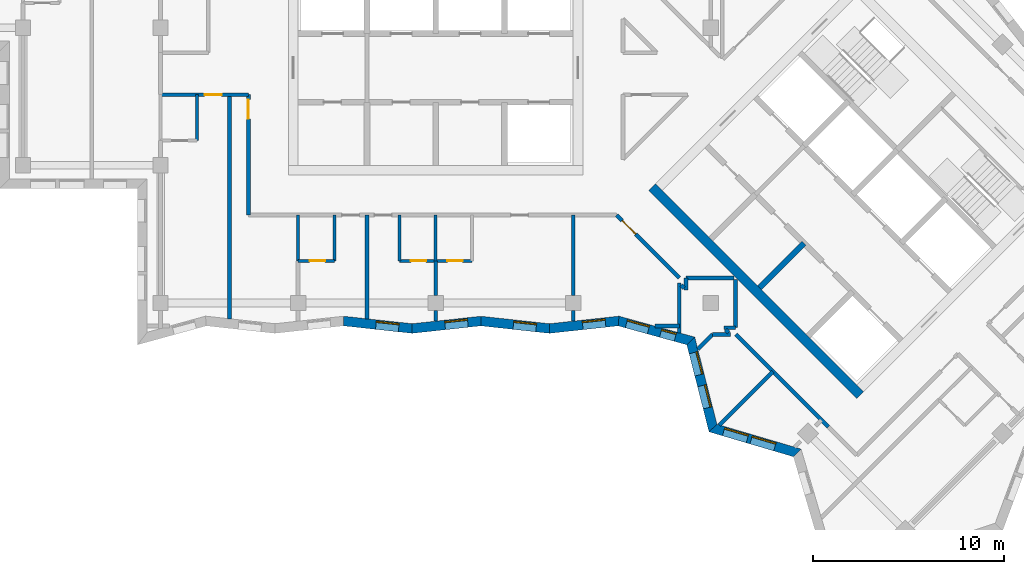
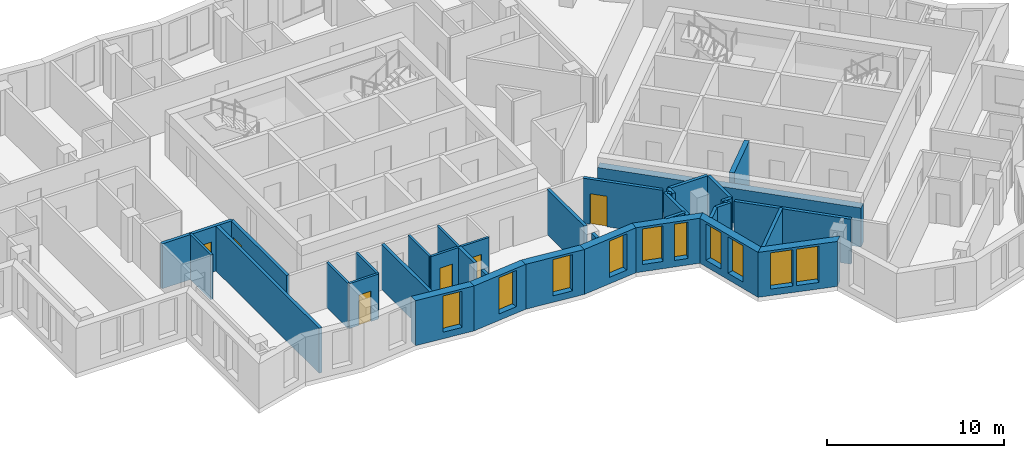
# One storey, part 3 of 12: 37 walls, 10 windows, 6 doors, 16 openings.
"""IFC4 building model written with IfcOpenShell, lengths in metres."""

from ifc_helpers import new_model, si_unit, direction, frame, frame_2d, origin, place, context, subcontext, project, spatial, polyline, rectangle, outline, extrude, material, layer, layer_set, type_object, element, fill, save


model = new_model("IFC4")

# Units and contexts
model_context = context("Model", 3, precision=1e-05, world=origin(), true_north=direction((0.0, 1.0)))
body_context = subcontext(model_context, "Body", "Model", "MODEL_VIEW")
ifc_project = project(units=[si_unit("LENGTHUNIT", "METRE"), si_unit("AREAUNIT", "SQUARE_METRE"), si_unit("VOLUMEUNIT", "CUBIC_METRE"), si_unit("PLANEANGLEUNIT", "RADIAN"), si_unit("MASSUNIT", "GRAM", prefix="KILO")], contexts=[model_context])

# Site, building, storey
site_placement = place(None, origin())
site = spatial("IfcSite", under=ifc_project, at=site_placement, CompositionType="ELEMENT")
building_placement = place(site_placement, origin())
building = spatial("IfcBuilding", under=site, at=building_placement, Name="Windrow Commons", CompositionType="ELEMENT")
storey_placement = place(building_placement, frame((0.0, 0.0, 199.8)))
storey = spatial("IfcBuildingStorey", under=building, at=storey_placement, Name="L54", CompositionType="ELEMENT", Elevation=199.8)

# Wall, opening, window
ifc_material_1 = material(Name="Brick masonry, red clay brick", Category="masonry")
ifc_layer_1 = layer(ifc_material_1, 0.5)
ifc_layer_set_1 = layer_set([ifc_layer_1], Name="Brick facade wall 500")
wall_type_1 = type_object("IfcWallType", Name="Brick facade wall 500", PredefinedType="SOLIDWALL", material=ifc_layer_set_1)
wall_1_placement = place(storey_placement, frame((59.9801, 42.2515, 0.0), z_axis=(0.0, 0.0, 1.0), x_axis=(0.994132181, -0.1081721163, 0.0)))
wall_1 = element("IfcWall", 1, at=wall_1_placement, inside=storey, type_object=wall_type_1, Name="Brick facade wall L54 43", PredefinedType="SOLIDWALL", context=body_context, shape_type="SweptSolid", body=[
    extrude(outline(polyline([(0.0272, -0.25), (3.6418, -0.25), (3.5874, 0.25), (-0.0272, 0.25), (0.0272, -0.25)])), origin(), (0.0, 0.0, 1.0), 3.1),
])
opening_1_placement = place(wall_1_placement, frame((1.7072, 0.0, 0.45)))
opening_1 = element("IfcOpeningElement", 2, at=opening_1_placement, cuts=wall_1, Name="Opening W7E", PredefinedType="OPENING", context=body_context, shape_type="SweptSolid", body=[
    extrude(rectangle(XDim=1.2, YDim=2.5, at=frame_2d((0.6, 1.25))), frame((0.0, 0.26, 0.0), z_axis=(0.0, -1.0, 0.0), x_axis=(1.0, 0.0, 0.0)), (0.0, 0.0, 1.0), 0.52),
])
ifc_material_2 = material(Name="Clear float glass in anodised aluminium frame", Category="aluminium")
window_type_1 = type_object("IfcWindowType", Name="Window W7 notch 1200x2500", PartitioningType="SINGLE_PANEL", PredefinedType="WINDOW", material=ifc_material_2)
window_1_placement = place(opening_1_placement, origin())
window_1 = element("IfcWindow", 3, at=window_1_placement, inside=storey, type_object=window_type_1, Name="Window L54 43.1", OverallHeight=2.5, OverallWidth=1.2, PartitioningType="SINGLE_PANEL", PredefinedType="WINDOW", context=body_context, shape_type="SweptSolid", body=[
    extrude(rectangle(XDim=1.2, YDim=2.5, at=frame_2d((0.6, 1.25))), frame((0.0, 0.18, 0.0), z_axis=(0.0, -1.0, 0.0), x_axis=(1.0, 0.0, 0.0)), (0.0, 0.0, 1.0), 0.06),
])
fill(opening_1, window_1)

wall_2_placement = place(storey_placement, frame((63.5735, 41.8605, 0.0), z_axis=(0.0, 0.0, 1.0), x_axis=(0.9941318572, 0.1081750915, 0.0)))
wall_2 = element("IfcWall", 4, at=wall_2_placement, inside=storey, type_object=wall_type_1, Name="Brick facade wall L54 44", PredefinedType="SOLIDWALL", context=body_context, shape_type="SweptSolid", body=[
    extrude(outline(polyline([(-0.0272, -0.25), (3.5874, -0.25), (3.6418, 0.25), (0.0272, 0.25), (-0.0272, -0.25)])), origin(), (0.0, 0.0, 1.0), 3.1),
])
opening_2_placement = place(wall_2_placement, frame((1.7242, 0.0, 0.45)))
opening_2 = element("IfcOpeningElement", 5, at=opening_2_placement, cuts=wall_2, Name="Opening W7E", PredefinedType="OPENING", context=body_context, shape_type="SweptSolid", body=[
    extrude(rectangle(XDim=1.2, YDim=2.5, at=frame_2d((0.6, 1.25))), frame((0.0, 0.26, 0.0), z_axis=(0.0, -1.0, 0.0), x_axis=(1.0, 0.0, 0.0)), (0.0, 0.0, 1.0), 0.52),
])
window_2_placement = place(opening_2_placement, origin())
window_2 = element("IfcWindow", 6, at=window_2_placement, inside=storey, type_object=window_type_1, Name="Window L54 44.1", OverallHeight=2.5, OverallWidth=1.2, PartitioningType="SINGLE_PANEL", PredefinedType="WINDOW", context=body_context, shape_type="SweptSolid", body=[
    extrude(rectangle(XDim=1.2, YDim=2.5, at=frame_2d((0.6, 1.25))), frame((0.0, 0.18, 0.0), z_axis=(0.0, -1.0, 0.0), x_axis=(1.0, 0.0, 0.0)), (0.0, 0.0, 1.0), 0.06),
])
fill(opening_2, window_2)

wall_3_placement = place(storey_placement, frame((67.1668, 42.2515, 0.0), z_axis=(0.0, 0.0, 1.0), x_axis=(0.994132181, -0.1081721163, 0.0)))
wall_3 = element("IfcWall", 7, at=wall_3_placement, inside=storey, type_object=wall_type_1, Name="Brick facade wall L54 45", PredefinedType="SOLIDWALL", context=body_context, shape_type="SweptSolid", body=[
    extrude(outline(polyline([(0.0272, -0.25), (3.6418, -0.25), (3.5874, 0.25), (-0.0272, 0.25), (0.0272, -0.25)])), origin(), (0.0, 0.0, 1.0), 3.1),
])
opening_3_placement = place(wall_3_placement, frame((1.7139, 0.0, 0.45)))
opening_3 = element("IfcOpeningElement", 8, at=opening_3_placement, cuts=wall_3, Name="Opening W7E", PredefinedType="OPENING", context=body_context, shape_type="SweptSolid", body=[
    extrude(rectangle(XDim=1.2, YDim=2.5, at=frame_2d((0.6, 1.25))), frame((0.0, 0.26, 0.0), z_axis=(0.0, -1.0, 0.0), x_axis=(1.0, 0.0, 0.0)), (0.0, 0.0, 1.0), 0.52),
])
window_3_placement = place(opening_3_placement, origin())
window_3 = element("IfcWindow", 9, at=window_3_placement, inside=storey, type_object=window_type_1, Name="Window L54 45.1", OverallHeight=2.5, OverallWidth=1.2, PartitioningType="SINGLE_PANEL", PredefinedType="WINDOW", context=body_context, shape_type="SweptSolid", body=[
    extrude(rectangle(XDim=1.2, YDim=2.5, at=frame_2d((0.6, 1.25))), frame((0.0, 0.18, 0.0), z_axis=(0.0, -1.0, 0.0), x_axis=(1.0, 0.0, 0.0)), (0.0, 0.0, 1.0), 0.06),
])
fill(opening_3, window_3)

wall_4_placement = place(storey_placement, frame((70.7602, 41.8605, 0.0), z_axis=(0.0, 0.0, 1.0), x_axis=(0.9941327648, 0.1081667505, 0.0)))
wall_4 = element("IfcWall", 10, at=wall_4_placement, inside=storey, type_object=wall_type_1, Name="Brick facade wall L54 46", PredefinedType="SOLIDWALL", context=body_context, shape_type="SweptSolid", body=[
    extrude(outline(polyline([(-0.0272, -0.25), (3.5874, -0.25), (3.6829, 0.25), (0.0272, 0.25), (-0.0272, -0.25)])), origin(), (0.0, 0.0, 1.0), 3.1),
])
opening_4_placement = place(wall_4_placement, frame((1.7411, 0.0, 0.45)))
opening_4 = element("IfcOpeningElement", 11, at=opening_4_placement, cuts=wall_4, Name="Opening W7E", PredefinedType="OPENING", context=body_context, shape_type="SweptSolid", body=[
    extrude(rectangle(XDim=1.2, YDim=2.5, at=frame_2d((0.6, 1.25))), frame((0.0, 0.26, 0.0), z_axis=(0.0, -1.0, 0.0), x_axis=(1.0, 0.0, 0.0)), (0.0, 0.0, 1.0), 0.52),
])
window_4_placement = place(opening_4_placement, origin())
window_4 = element("IfcWindow", 12, at=window_4_placement, inside=storey, type_object=window_type_1, Name="Window L54 46.1", OverallHeight=2.5, OverallWidth=1.2, PartitioningType="SINGLE_PANEL", PredefinedType="WINDOW", context=body_context, shape_type="SweptSolid", body=[
    extrude(rectangle(XDim=1.2, YDim=2.5, at=frame_2d((0.6, 1.25))), frame((0.0, 0.18, 0.0), z_axis=(0.0, -1.0, 0.0), x_axis=(1.0, 0.0, 0.0)), (0.0, 0.0, 1.0), 0.06),
])
fill(opening_4, window_4)

# Wall, openings, windows
wall_5_placement = place(storey_placement, frame((74.374, 42.2537, 0.0), z_axis=(0.0, 0.0, 1.0), x_axis=(0.9640099783, -0.2658660599, 0.0)))
wall_5 = element("IfcWall", 13, at=wall_5_placement, inside=storey, type_object=wall_type_1, Name="Brick facade wall L54 47", PredefinedType="SOLIDWALL", context=body_context, shape_type="SweptSolid", body=[
    extrude(outline(polyline([(0.0478, -0.25), (3.7753, -0.25), (4.0655, 0.25), (-0.0478, 0.25), (0.0478, -0.25)])), origin(), (0.0, 0.0, 1.0), 3.1),
])
opening_5_placement = place(wall_5_placement, frame((0.4295, 0.0, 0.5)))
opening_5 = element("IfcOpeningElement", 14, at=opening_5_placement, cuts=wall_5, Name="Opening W7D", PredefinedType="OPENING", context=body_context, shape_type="SweptSolid", body=[
    extrude(rectangle(XDim=1.2, YDim=2.45, at=frame_2d((0.6, 1.225))), frame((0.0, 0.26, 0.0), z_axis=(0.0, -1.0, 0.0), x_axis=(1.0, 0.0, 0.0)), (0.0, 0.0, 1.0), 0.52),
])
opening_6_placement = place(wall_5_placement, frame((2.2897, 0.0, 0.45)))
opening_6 = element("IfcOpeningElement", 15, at=opening_6_placement, cuts=wall_5, Name="Opening W1N", PredefinedType="OPENING", context=body_context, shape_type="SweptSolid", body=[
    extrude(rectangle(XDim=0.8, YDim=2.5, at=frame_2d((0.4, 1.25))), frame((0.0, 0.26, 0.0), z_axis=(0.0, -1.0, 0.0), x_axis=(1.0, 0.0, 0.0)), (0.0, 0.0, 1.0), 0.52),
])
ifc_material_3 = material(Name="Clear float glass in anodised aluminium frame", Category="aluminium")
window_type_2 = type_object("IfcWindowType", Name="Window W1N slit 800x2500", PartitioningType="SINGLE_PANEL", PredefinedType="WINDOW", material=ifc_material_3)
window_5_placement = place(opening_6_placement, origin())
window_5 = element("IfcWindow", 16, at=window_5_placement, inside=storey, type_object=window_type_2, Name="Window L54 47.1B", OverallHeight=2.5, OverallWidth=0.8, PartitioningType="SINGLE_PANEL", PredefinedType="WINDOW", context=body_context, shape_type="SweptSolid", body=[
    extrude(rectangle(XDim=0.8, YDim=2.5, at=frame_2d((0.4, 1.25))), frame((0.0, 0.18, 0.0), z_axis=(0.0, -1.0, 0.0), x_axis=(1.0, 0.0, 0.0)), (0.0, 0.0, 1.0), 0.06),
])
fill(opening_6, window_5)
ifc_material_4 = material(Name="Clear float glass in anodised aluminium frame", Category="aluminium")
window_type_3 = type_object("IfcWindowType", Name="Window W7 notch 1200x2450", PartitioningType="SINGLE_PANEL", PredefinedType="WINDOW", material=ifc_material_4)
window_6_placement = place(opening_5_placement, origin())
window_6 = element("IfcWindow", 17, at=window_6_placement, inside=storey, type_object=window_type_3, Name="Window L54 47.1A", OverallHeight=2.45, OverallWidth=1.2, PartitioningType="SINGLE_PANEL", PredefinedType="WINDOW", context=body_context, shape_type="SweptSolid", body=[
    extrude(rectangle(XDim=1.2, YDim=2.45, at=frame_2d((0.6, 1.225))), frame((0.0, 0.18, 0.0), z_axis=(0.0, -1.0, 0.0), x_axis=(1.0, 0.0, 0.0)), (0.0, 0.0, 1.0), 0.06),
])
fill(opening_5, window_6)

wall_6_placement = place(storey_placement, frame((78.1533, 41.2114, 0.0), z_axis=(0.0, 0.0, 1.0), x_axis=(0.2470941047, -0.9689914878, 0.0)))
wall_6 = element("IfcWall", 18, at=wall_6_placement, inside=storey, type_object=wall_type_1, Name="Brick facade wall L54 48", PredefinedType="SOLIDWALL", context=body_context, shape_type="SweptSolid", body=[
    extrude(outline(polyline([(0.1451, -0.25), (4.8468, -0.25), (4.5625, 0.25), (-0.1451, 0.25), (0.1451, -0.25)])), origin(), (0.0, 0.0, 1.0), 3.1),
])
opening_7_placement = place(wall_6_placement, frame((0.6315, 0.0, 0.45)))
opening_7 = element("IfcOpeningElement", 19, at=opening_7_placement, cuts=wall_6, Name="Opening W7E", PredefinedType="OPENING", context=body_context, shape_type="SweptSolid", body=[
    extrude(rectangle(XDim=1.2, YDim=2.5, at=frame_2d((0.6, 1.25))), frame((0.0, 0.26, 0.0), z_axis=(0.0, -1.0, 0.0), x_axis=(1.0, 0.0, 0.0)), (0.0, 0.0, 1.0), 0.52),
])
opening_8_placement = place(wall_6_placement, frame((2.4128, 0.0, 0.45)))
opening_8 = element("IfcOpeningElement", 20, at=opening_8_placement, cuts=wall_6, Name="Opening W7E", PredefinedType="OPENING", context=body_context, shape_type="SweptSolid", body=[
    extrude(rectangle(XDim=1.2, YDim=2.5, at=frame_2d((0.6, 1.25))), frame((0.0, 0.26, 0.0), z_axis=(0.0, -1.0, 0.0), x_axis=(1.0, 0.0, 0.0)), (0.0, 0.0, 1.0), 0.52),
])
window_7_placement = place(opening_7_placement, origin())
window_7 = element("IfcWindow", 21, at=window_7_placement, inside=storey, type_object=window_type_1, Name="Window L54 48.1", OverallHeight=2.5, OverallWidth=1.2, PartitioningType="SINGLE_PANEL", PredefinedType="WINDOW", context=body_context, shape_type="SweptSolid", body=[
    extrude(rectangle(XDim=1.2, YDim=2.5, at=frame_2d((0.6, 1.25))), frame((0.0, 0.18, 0.0), z_axis=(0.0, -1.0, 0.0), x_axis=(1.0, 0.0, 0.0)), (0.0, 0.0, 1.0), 0.06),
])
fill(opening_7, window_7)
window_8_placement = place(opening_8_placement, origin())
window_8 = element("IfcWindow", 22, at=window_8_placement, inside=storey, type_object=window_type_1, Name="Window L54 48.2", OverallHeight=2.5, OverallWidth=1.2, PartitioningType="SINGLE_PANEL", PredefinedType="WINDOW", context=body_context, shape_type="SweptSolid", body=[
    extrude(rectangle(XDim=1.2, YDim=2.5, at=frame_2d((0.6, 1.25))), frame((0.0, 0.18, 0.0), z_axis=(0.0, -1.0, 0.0), x_axis=(1.0, 0.0, 0.0)), (0.0, 0.0, 1.0), 0.06),
])
fill(opening_8, window_8)

wall_7_placement = place(storey_placement, frame((79.3158, 36.6526, 0.0), z_axis=(0.0, 0.0, 1.0), x_axis=(0.9590792188, -0.2831378676, 0.0)))
wall_7 = element("IfcWall", 23, at=wall_7_placement, inside=storey, type_object=wall_type_1, Name="Brick facade wall L54 49", PredefinedType="SOLIDWALL", context=body_context, shape_type="SweptSolid", body=[
    extrude(outline(polyline([(-0.1422, -0.25), (4.4607, -0.25), (4.7327, 0.25), (0.1422, 0.25), (-0.1422, -0.25)])), origin(), (0.0, 0.0, 1.0), 3.1),
])
opening_9_placement = place(wall_7_placement, frame((0.5875, 0.0, 0.45)))
opening_9 = element("IfcOpeningElement", 24, at=opening_9_placement, cuts=wall_7, Name="Opening W1Q", PredefinedType="OPENING", context=body_context, shape_type="SweptSolid", body=[
    extrude(rectangle(XDim=1.3, YDim=2.5, at=frame_2d((0.65, 1.25))), frame((0.0, 0.26, 0.0), z_axis=(0.0, -1.0, 0.0), x_axis=(1.0, 0.0, 0.0)), (0.0, 0.0, 1.0), 0.52),
])
opening_10_placement = place(wall_7_placement, frame((2.0875, 0.0, 0.45)))
opening_10 = element("IfcOpeningElement", 25, at=opening_10_placement, cuts=wall_7, Name="Opening W1Q", PredefinedType="OPENING", context=body_context, shape_type="SweptSolid", body=[
    extrude(rectangle(XDim=1.3, YDim=2.5, at=frame_2d((0.65, 1.25))), frame((0.0, 0.26, 0.0), z_axis=(0.0, -1.0, 0.0), x_axis=(1.0, 0.0, 0.0)), (0.0, 0.0, 1.0), 0.52),
])
ifc_material_5 = material(Name="Clear float glass in anodised aluminium frame", Category="aluminium")
window_type_4 = type_object("IfcWindowType", Name="Window W1Q pair 1300x2500", PartitioningType="SINGLE_PANEL", PredefinedType="WINDOW", material=ifc_material_5)
window_9_placement = place(opening_9_placement, origin())
window_9 = element("IfcWindow", 26, at=window_9_placement, inside=storey, type_object=window_type_4, Name="Window L54 49.1A", OverallHeight=2.5, OverallWidth=1.3, PartitioningType="SINGLE_PANEL", PredefinedType="WINDOW", context=body_context, shape_type="SweptSolid", body=[
    extrude(rectangle(XDim=1.3, YDim=2.5, at=frame_2d((0.65, 1.25))), frame((0.0, 0.18, 0.0), z_axis=(0.0, -1.0, 0.0), x_axis=(1.0, 0.0, 0.0)), (0.0, 0.0, 1.0), 0.06),
])
fill(opening_9, window_9)
window_10_placement = place(opening_10_placement, origin())
window_10 = element("IfcWindow", 27, at=window_10_placement, inside=storey, type_object=window_type_4, Name="Window L54 49.1B", OverallHeight=2.5, OverallWidth=1.3, PartitioningType="SINGLE_PANEL", PredefinedType="WINDOW", context=body_context, shape_type="SweptSolid", body=[
    extrude(rectangle(XDim=1.3, YDim=2.5, at=frame_2d((0.65, 1.25))), frame((0.0, 0.18, 0.0), z_axis=(0.0, -1.0, 0.0), x_axis=(1.0, 0.0, 0.0)), (0.0, 0.0, 1.0), 0.06),
])
fill(opening_10, window_10)

# Wall
ifc_material_6 = material(Name="Blockwork partition", Category="masonry")
ifc_layer_2 = layer(ifc_material_6, 0.2)
ifc_layer_set_2 = layer_set([ifc_layer_2], Name="IW-CORRIDOR-200")
wall_type_2 = type_object("IfcWallType", Name="IW-CORRIDOR-200", PredefinedType="PARTITIONING", material=ifc_layer_set_2)
wall_8_placement = place(storey_placement, frame((80.5215, 41.5535, 0.0), z_axis=(0.0, 0.0, 1.0), x_axis=(0.7071067812, -0.7071067812, 0.0)))
element("IfcWall", 28, at=wall_8_placement, inside=storey, type_object=wall_type_2, Name="W-L54-W014", PredefinedType="PARTITIONING", context=body_context, shape_type="SweptSolid", body=[
    extrude(rectangle(XDim=6.8363, YDim=0.2, at=frame_2d((3.4181, 0.0))), origin(), (0.0, 0.0, 1.0), 3.1),
])

# Wall, opening, door
wall_9_placement = place(storey_placement, frame((55.0, 47.8, 0.0), z_axis=(0.0, 0.0, 1.0), x_axis=(0.0, 1.0, 0.0)))
wall_9 = element("IfcWall", 29, at=wall_9_placement, inside=storey, type_object=wall_type_2, Name="W-L54-W024", PredefinedType="PARTITIONING", context=body_context, shape_type="SweptSolid", body=[
    extrude(rectangle(XDim=6.3, YDim=0.2, at=frame_2d((3.15, 0.0))), origin(), (0.0, 0.0, 1.0), 3.1),
])
opening_11_placement = place(wall_9_placement, frame((5.0407, 0.0, 0.0)))
opening_11 = element("IfcOpeningElement", 30, at=opening_11_placement, cuts=wall_9, Name="Opening D310F", PredefinedType="OPENING", context=body_context, shape_type="SweptSolid", body=[
    extrude(rectangle(XDim=1.0, YDim=2.1, at=frame_2d((0.5, 1.05))), frame((0.0, 0.11, 0.0), z_axis=(0.0, -1.0, 0.0), x_axis=(1.0, 0.0, 0.0)), (0.0, 0.0, 1.0), 0.22),
])
ifc_material_7 = material(Name="Timber door leaf", Category="wood")
door_type_1 = type_object("IfcDoorType", Name="DT-AMENITY-1000", OperationType="SINGLE_SWING_LEFT", PredefinedType="DOOR", material=ifc_material_7)
door_1_placement = place(opening_11_placement, origin())
door_1 = element("IfcDoor", 31, at=door_1_placement, inside=storey, type_object=door_type_1, Name="D-L54-D031", OperationType="SINGLE_SWING_RIGHT", OverallHeight=2.1, OverallWidth=1.0, PredefinedType="DOOR", context=body_context, shape_type="SweptSolid", body=[
    extrude(rectangle(XDim=1.0, YDim=2.1, at=frame_2d((0.5, 1.05))), frame((0.0, 0.025, 0.0), z_axis=(0.0, -1.0, 0.0), x_axis=(1.0, 0.0, 0.0)), (0.0, 0.0, 1.0), 0.05),
])
fill(opening_11, door_1)

wall_10_placement = place(storey_placement, frame((74.2715, 47.8035, 0.0), z_axis=(0.0, 0.0, 1.0), x_axis=(0.7071067812, -0.7071067812, 0.0)))
wall_10 = element("IfcWall", 32, at=wall_10_placement, inside=storey, type_object=wall_type_2, Name="W-L54-W032", PredefinedType="PARTITIONING", context=body_context, shape_type="SweptSolid", body=[
    extrude(rectangle(XDim=4.6414, YDim=0.2, at=frame_2d((2.3207, 0.0))), origin(), (0.0, 0.0, 1.0), 3.1),
])
opening_12_placement = place(wall_10_placement, frame((0.4161, 0.0, 0.0)))
opening_12 = element("IfcOpeningElement", 33, at=opening_12_placement, cuts=wall_10, Name="Opening D310F", PredefinedType="OPENING", context=body_context, shape_type="SweptSolid", body=[
    extrude(rectangle(XDim=1.0, YDim=2.1, at=frame_2d((0.5, 1.05))), frame((0.0, 0.11, 0.0), z_axis=(0.0, -1.0, 0.0), x_axis=(1.0, 0.0, 0.0)), (0.0, 0.0, 1.0), 0.22),
])
door_2_placement = place(opening_12_placement, origin())
door_2 = element("IfcDoor", 34, at=door_2_placement, inside=storey, type_object=door_type_1, Name="D-L54-D042", OperationType="SINGLE_SWING_LEFT", OverallHeight=2.1, OverallWidth=1.0, PredefinedType="DOOR", context=body_context, shape_type="SweptSolid", body=[
    extrude(rectangle(XDim=1.0, YDim=2.1, at=frame_2d((0.5, 1.05))), frame((0.0, 0.025, 0.0), z_axis=(0.0, -1.0, 0.0), x_axis=(1.0, 0.0, 0.0)), (0.0, 0.0, 1.0), 0.05),
])
fill(opening_12, door_2)

wall_11_placement = place(storey_placement, frame((50.4, 54.1, 0.0), z_axis=(0.0, 0.0, 1.0), x_axis=(1.0, 0.0, 0.0)))
wall_11 = element("IfcWall", 35, at=wall_11_placement, inside=storey, type_object=wall_type_2, Name="W-L54-W033", PredefinedType="PARTITIONING", context=body_context, shape_type="SweptSolid", body=[
    extrude(rectangle(XDim=4.6, YDim=0.2, at=frame_2d((2.3, 0.0))), origin(), (0.0, 0.0, 1.0), 3.1),
])
opening_13_placement = place(wall_11_placement, frame((2.3, 0.0, 0.0)))
opening_13 = element("IfcOpeningElement", 36, at=opening_13_placement, cuts=wall_11, Name="Opening D109S", PredefinedType="OPENING", context=body_context, shape_type="SweptSolid", body=[
    extrude(rectangle(XDim=0.9, YDim=2.1, at=frame_2d((0.45, 1.05))), frame((0.0, 0.11, 0.0), z_axis=(0.0, -1.0, 0.0), x_axis=(1.0, 0.0, 0.0)), (0.0, 0.0, 1.0), 0.22),
])
ifc_material_8 = material(Name="Timber door leaf", Category="wood")
door_type_2 = type_object("IfcDoorType", Name="DT-BEDROOM-900", OperationType="SINGLE_SWING_LEFT", PredefinedType="DOOR", material=ifc_material_8)
door_3_placement = place(opening_13_placement, origin())
door_3 = element("IfcDoor", 37, at=door_3_placement, inside=storey, type_object=door_type_2, Name="D-L54-D029", OperationType="SINGLE_SWING_LEFT", OverallHeight=2.1, OverallWidth=0.9, PredefinedType="DOOR", context=body_context, shape_type="SweptSolid", body=[
    extrude(rectangle(XDim=0.9, YDim=2.1, at=frame_2d((0.45, 1.05))), frame((0.0, 0.025, 0.0), z_axis=(0.0, -1.0, 0.0), x_axis=(1.0, 0.0, 0.0)), (0.0, 0.0, 1.0), 0.05),
])
fill(opening_13, door_3)

# Walls
for number, where, z_axis, x_axis, name in (
    (38, (77.902, 44.5, 0.0), (0.0, 0.0, 1.0), (1.0, 0.0, 0.0), "W-L54-W054"),
    (39, (80.5, 41.902, 0.0), (0.0, 0.0, 1.0), (0.0, 1.0, 0.0), "W-L54-W055"),
):
    element("IfcWall", number, at=place(storey_placement, frame(where, z_axis=z_axis, x_axis=x_axis)), inside=storey, type_object=wall_type_2, Name=name, PredefinedType="PARTITIONING", context=body_context, shape_type="SweptSolid", body=[
        extrude(rectangle(XDim=2.522, YDim=0.2, at=frame_2d((1.261, 0.0))), origin(), (0.0, 0.0, 1.0), 3.1),
    ])
for number, where, z_axis, x_axis, name in (
    (40, (77.9, 43.884, 0.0), (0.0, 0.0, 1.0), (0.0, 1.0, 0.0), "W-L54-W149"),
    (41, (79.884, 41.9, 0.0), (0.0, 0.0, 1.0), (1.0, 0.0, 0.0), "W-L54-W150"),
):
    element("IfcWall", number, at=place(storey_placement, frame(where, z_axis=z_axis, x_axis=x_axis)), inside=storey, type_object=wall_type_2, Name=name, PredefinedType="PARTITIONING", context=body_context, shape_type="SweptSolid", body=[
        extrude(rectangle(XDim=0.616, YDim=0.2, at=frame_2d((0.308, 0.0))), origin(), (0.0, 0.0, 1.0), 3.1),
    ])
for number, where, z_axis, x_axis, name in (
    (42, (79.9729, 41.805, 0.0), (0.0, 0.0, 1.0), (0.707329037, -0.7068844555, 0.0), "W-L54-W161"),
    (43, (77.646, 44.132, 0.0), (0.0, 0.0, 1.0), (0.7068844555, -0.707329037, 0.0), "W-L54-W162"),
):
    element("IfcWall", number, at=place(storey_placement, frame(where, z_axis=z_axis, x_axis=x_axis)), inside=storey, type_object=wall_type_2, Name=name, PredefinedType="PARTITIONING", context=body_context, shape_type="SweptSolid", body=[
        extrude(rectangle(XDim=0.2249, YDim=0.2, at=frame_2d((0.1124, 0.0))), origin(), (0.0, 0.0, 1.0), 3.1),
    ])

# Wall, openings, doors
ifc_material_9 = material(Name="Blockwork partition", Category="masonry")
ifc_layer_3 = layer(ifc_material_9, 0.15)
ifc_layer_set_3 = layer_set([ifc_layer_3], Name="IW-ENSUITE-150")
wall_type_3 = type_object("IfcWallType", Name="IW-ENSUITE-150", PredefinedType="PARTITIONING", material=ifc_layer_set_3)
wall_12_placement = place(storey_placement, frame((62.9, 45.4, 0.0), z_axis=(0.0, 0.0, 1.0), x_axis=(1.0, 0.0, 0.0)))
wall_12 = element("IfcWall", 44, at=wall_12_placement, inside=storey, type_object=wall_type_3, Name="W-L54-W044", PredefinedType="PARTITIONING", context=body_context, shape_type="SweptSolid", body=[
    extrude(rectangle(XDim=3.8, YDim=0.15, at=frame_2d((1.9, 0.0))), origin(), (0.0, 0.0, 1.0), 3.1),
])
opening_14_placement = place(wall_12_placement, frame((0.5979, 0.0, 0.0)))
opening_14 = element("IfcOpeningElement", 45, at=opening_14_placement, cuts=wall_12, Name="Opening D208N", PredefinedType="OPENING", context=body_context, shape_type="SweptSolid", body=[
    extrude(rectangle(XDim=0.8, YDim=2.1, at=frame_2d((0.4, 1.05))), frame((0.0, 0.085, 0.0), z_axis=(0.0, -1.0, 0.0), x_axis=(1.0, 0.0, 0.0)), (0.0, 0.0, 1.0), 0.17),
])
opening_15_placement = place(wall_12_placement, frame((2.5069, 0.0, 0.0)))
opening_15 = element("IfcOpeningElement", 46, at=opening_15_placement, cuts=wall_12, Name="Opening D208N", PredefinedType="OPENING", context=body_context, shape_type="SweptSolid", body=[
    extrude(rectangle(XDim=0.8, YDim=2.1, at=frame_2d((0.4, 1.05))), frame((0.0, 0.085, 0.0), z_axis=(0.0, -1.0, 0.0), x_axis=(1.0, 0.0, 0.0)), (0.0, 0.0, 1.0), 0.17),
])
ifc_material_10 = material(Name="Timber door leaf", Category="wood")
door_type_3 = type_object("IfcDoorType", Name="DT-ENSUITE-800", OperationType="SINGLE_SWING_LEFT", PredefinedType="DOOR", material=ifc_material_10)
door_4_placement = place(opening_14_placement, origin())
door_4 = element("IfcDoor", 47, at=door_4_placement, inside=storey, type_object=door_type_3, Name="D-L54-D039", OperationType="SINGLE_SWING_RIGHT", OverallHeight=2.1, OverallWidth=0.8, PredefinedType="DOOR", context=body_context, shape_type="SweptSolid", body=[
    extrude(rectangle(XDim=0.8, YDim=2.1, at=frame_2d((0.4, 1.05))), frame((0.0, 0.025, 0.0), z_axis=(0.0, -1.0, 0.0), x_axis=(1.0, 0.0, 0.0)), (0.0, 0.0, 1.0), 0.05),
])
fill(opening_14, door_4)
door_5_placement = place(opening_15_placement, origin())
door_5 = element("IfcDoor", 48, at=door_5_placement, inside=storey, type_object=door_type_3, Name="D-L54-D041", OperationType="SINGLE_SWING_RIGHT", OverallHeight=2.1, OverallWidth=0.8, PredefinedType="DOOR", context=body_context, shape_type="SweptSolid", body=[
    extrude(rectangle(XDim=0.8, YDim=2.1, at=frame_2d((0.4, 1.05))), frame((0.0, 0.025, 0.0), z_axis=(0.0, -1.0, 0.0), x_axis=(1.0, 0.0, 0.0)), (0.0, 0.0, 1.0), 0.05),
])
fill(opening_15, door_5)

# Walls
for number, where, z_axis, x_axis, name in (
    (49, (52.3, 51.7, 0.0), (0.0, 0.0, 1.0), (0.0, 1.0, 0.0), "W-L54-W078"),
    (50, (59.5, 45.4, 0.0), (0.0, 0.0, 1.0), (0.0, 1.0, 0.0), "W-L54-W080"),
    (51, (57.6, 45.4, 0.0), (0.0, 0.0, 1.0), (0.0, 1.0, 0.0), "W-L54-W081"),
    (52, (62.9, 45.4, 0.0), (0.0, 0.0, 1.0), (0.0, 1.0, 0.0), "W-L54-W082"),
    (53, (64.8, 45.4, 0.0), (0.0, 0.0, 1.0), (0.0, 1.0, 0.0), "W-L54-W084"),
):
    element("IfcWall", number, at=place(storey_placement, frame(where, z_axis=z_axis, x_axis=x_axis)), inside=storey, type_object=wall_type_3, Name=name, PredefinedType="PARTITIONING", context=body_context, shape_type="SweptSolid", body=[
        extrude(rectangle(XDim=2.4, YDim=0.15, at=frame_2d((1.2, 0.0))), origin(), (0.0, 0.0, 1.0), 3.1),
    ])

# Wall, opening, door
wall_13_placement = place(storey_placement, frame((57.6, 45.4, 0.0), z_axis=(0.0, 0.0, 1.0), x_axis=(1.0, 0.0, 0.0)))
wall_13 = element("IfcWall", 54, at=wall_13_placement, inside=storey, type_object=wall_type_3, Name="W-L54-W113", PredefinedType="PARTITIONING", context=body_context, shape_type="SweptSolid", body=[
    extrude(rectangle(XDim=1.9, YDim=0.15, at=frame_2d((0.95, 0.0))), origin(), (0.0, 0.0, 1.0), 3.1),
])
opening_16_placement = place(wall_13_placement, frame((0.6069, 0.0, 0.0)))
opening_16 = element("IfcOpeningElement", 55, at=opening_16_placement, cuts=wall_13, Name="Opening D208N", PredefinedType="OPENING", context=body_context, shape_type="SweptSolid", body=[
    extrude(rectangle(XDim=0.8, YDim=2.1, at=frame_2d((0.4, 1.05))), frame((0.0, 0.085, 0.0), z_axis=(0.0, -1.0, 0.0), x_axis=(1.0, 0.0, 0.0)), (0.0, 0.0, 1.0), 0.17),
])
door_6_placement = place(opening_16_placement, origin())
door_6 = element("IfcDoor", 56, at=door_6_placement, inside=storey, type_object=door_type_3, Name="D-L54-D037", OperationType="SINGLE_SWING_RIGHT", OverallHeight=2.1, OverallWidth=0.8, PredefinedType="DOOR", context=body_context, shape_type="SweptSolid", body=[
    extrude(rectangle(XDim=0.8, YDim=2.1, at=frame_2d((0.4, 1.05))), frame((0.0, 0.025, 0.0), z_axis=(0.0, -1.0, 0.0), x_axis=(1.0, 0.0, 0.0)), (0.0, 0.0, 1.0), 0.05),
])
fill(opening_16, door_6)

# Walls
ifc_material_11 = material(Name="Blockwork partition", Category="masonry")
ifc_layer_4 = layer(ifc_material_11, 0.2)
ifc_layer_set_4 = layer_set([ifc_layer_4], Name="IW-PARTY-200")
wall_type_4 = type_object("IfcWallType", Name="IW-PARTY-200", PredefinedType="PARTITIONING", material=ifc_layer_set_4)
wall_14_placement = place(storey_placement, frame((54.0, 42.3717, 0.0), z_axis=(0.0, 0.0, 1.0), x_axis=(0.0, 1.0, 0.0)))
element("IfcWall", 57, at=wall_14_placement, inside=storey, type_object=wall_type_4, Name="W-L54-W006", PredefinedType="PARTITIONING", context=body_context, shape_type="SweptSolid", body=[
    extrude(rectangle(XDim=11.7283, YDim=0.2, at=frame_2d((5.8642, 0.0))), origin(), (0.0, 0.0, 1.0), 3.1),
])
wall_15_placement = place(storey_placement, frame((61.2, 42.3702, 0.0), z_axis=(0.0, 0.0, 1.0), x_axis=(0.0, 1.0, 0.0)))
element("IfcWall", 58, at=wall_15_placement, inside=storey, type_object=wall_type_4, Name="W-L54-W027", PredefinedType="PARTITIONING", context=body_context, shape_type="SweptSolid", body=[
    extrude(rectangle(XDim=5.4298, YDim=0.2, at=frame_2d((2.7149, 0.0))), origin(), (0.0, 0.0, 1.0), 3.1),
])
wall_16_placement = place(storey_placement, frame((72.0, 43.6, 0.0), z_axis=(0.0, 0.0, 1.0), x_axis=(0.0, 1.0, 0.0)))
element("IfcWall", 59, at=wall_16_placement, inside=storey, type_object=wall_type_4, Name="W-L54-W039", PredefinedType="PARTITIONING", context=body_context, shape_type="SweptSolid", body=[
    extrude(rectangle(XDim=4.2, YDim=0.2, at=frame_2d((2.1, 0.0))), origin(), (0.0, 0.0, 1.0), 3.1),
])
wall_17_placement = place(storey_placement, frame((79.6509, 36.8144, 0.0), z_axis=(0.0, 0.0, 1.0), x_axis=(0.7071194064, 0.7070941557, 0.0)))
element("IfcWall", 60, at=wall_17_placement, inside=storey, type_object=wall_type_4, Name="W-L54-W041", PredefinedType="PARTITIONING", context=body_context, shape_type="SweptSolid", body=[
    extrude(rectangle(XDim=3.9603, YDim=0.2, at=frame_2d((1.9802, 0.0))), origin(), (0.0, 0.0, 1.0), 3.1),
])
wall_18_placement = place(storey_placement, frame((77.55, 41.6371, 0.0), z_axis=(0.0, 0.0, 1.0), x_axis=(0.0, 1.0, 0.0)))
element("IfcWall", 61, at=wall_18_placement, inside=storey, type_object=wall_type_4, Name="W-L54-W091", PredefinedType="PARTITIONING", context=body_context, shape_type="SweptSolid", body=[
    extrude(rectangle(XDim=2.5969, YDim=0.2, at=frame_2d((1.2985, 0.0))), origin(), (0.0, 0.0, 1.0), 3.1),
])
wall_19_placement = place(storey_placement, frame((64.8, 43.6, 0.0), z_axis=(0.0, 0.0, 1.0), x_axis=(0.0, 1.0, 0.0)))
element("IfcWall", 62, at=wall_19_placement, inside=storey, type_object=wall_type_4, Name="W-L54-W119", PredefinedType="PARTITIONING", context=body_context, shape_type="SweptSolid", body=[
    extrude(rectangle(XDim=1.8, YDim=0.2, at=frame_2d((0.9, 0.0))), origin(), (0.0, 0.0, 1.0), 3.1),
])
wall_20_placement = place(storey_placement, frame((76.2842, 42.0, 0.0), z_axis=(0.0, 0.0, 1.0), x_axis=(1.0, 0.0, 0.0)))
element("IfcWall", 63, at=wall_20_placement, inside=storey, type_object=wall_type_4, Name="W-L54-W125", PredefinedType="PARTITIONING", context=body_context, shape_type="SweptSolid", body=[
    extrude(rectangle(XDim=1.2658, YDim=0.2, at=frame_2d((0.6329, 0.0))), origin(), (0.0, 0.0, 1.0), 3.1),
])
wall_21_placement = place(storey_placement, frame((78.5218, 40.7779, 0.0), z_axis=(0.0, 0.0, 1.0), x_axis=(0.7081564071, 0.7060555949, 0.0)))
element("IfcWall", 64, at=wall_21_placement, inside=storey, type_object=wall_type_4, Name="W-L54-W129", PredefinedType="PARTITIONING", context=body_context, shape_type="SweptSolid", body=[
    extrude(rectangle(XDim=1.0948, YDim=0.2, at=frame_2d((0.5474, 0.0))), origin(), (0.0, 0.0, 1.0), 3.1),
])
wall_22_placement = place(storey_placement, frame((79.298, 41.55, 0.0), z_axis=(0.0, 0.0, 1.0), x_axis=(1.0, 0.0, 0.0)))
element("IfcWall", 65, at=wall_22_placement, inside=storey, type_object=wall_type_4, Name="W-L54-W131", PredefinedType="PARTITIONING", context=body_context, shape_type="SweptSolid", body=[
    extrude(rectangle(XDim=0.936, YDim=0.2, at=frame_2d((0.468, 0.0))), origin(), (0.0, 0.0, 1.0), 3.1),
])
wall_23_placement = place(storey_placement, frame((64.8, 42.2454, 0.0), z_axis=(0.0, 0.0, 1.0), x_axis=(0.0, 1.0, 0.0)))
element("IfcWall", 66, at=wall_23_placement, inside=storey, type_object=wall_type_4, Name="W-L54-W157", PredefinedType="PARTITIONING", context=body_context, shape_type="SweptSolid", body=[
    extrude(rectangle(XDim=0.5546, YDim=0.2, at=frame_2d((0.2773, 0.0))), origin(), (0.0, 0.0, 1.0), 3.1),
])
wall_24_placement = place(storey_placement, frame((72.0, 42.2469, 0.0), z_axis=(0.0, 0.0, 1.0), x_axis=(0.0, 1.0, 0.0)))
element("IfcWall", 67, at=wall_24_placement, inside=storey, type_object=wall_type_4, Name="W-L54-W158", PredefinedType="PARTITIONING", context=body_context, shape_type="SweptSolid", body=[
    extrude(rectangle(XDim=0.5531, YDim=0.2, at=frame_2d((0.2766, 0.0))), origin(), (0.0, 0.0, 1.0), 3.1),
])
ifc_material_12 = material(Name="Concrete C40/50", Category="concrete")
ifc_layer_5 = layer(ifc_material_12, 0.5)
ifc_layer_set_5 = layer_set([ifc_layer_5], Name="RC CORE WALL 500 C40/50")
wall_type_5 = type_object("IfcWallType", Name="RC CORE WALL 500 C40/50", PredefinedType="SHEAR", material=ifc_layer_set_5)
wall_25_placement = place(storey_placement, frame((76.1241, 49.2665, -0.3), z_axis=(0.0, 0.0, 1.0), x_axis=(0.7071067812, -0.7071067812, 0.0)))
element("IfcWall", 68, at=wall_25_placement, inside=storey, type_object=wall_type_5, Name="Core B wall outer-S", PredefinedType="SHEAR", context=body_context, shape_type="SweptSolid", body=[
    extrude(rectangle(XDim=15.3999, YDim=0.5, at=frame_2d((7.7, 0.0))), origin(), (0.0, 0.0, 1.0), 2.7),
])
ifc_material_13 = material(Name="Concrete C40/50", Category="concrete")
ifc_layer_6 = layer(ifc_material_13, 0.3)
ifc_layer_set_6 = layer_set([ifc_layer_6], Name="RC SHAFT WALL 300 C40/50")
wall_type_6 = type_object("IfcWallType", Name="RC SHAFT WALL 300 C40/50", PredefinedType="SOLIDWALL", material=ifc_layer_set_6)
wall_26_placement = place(storey_placement, frame((81.7456, 43.9986, 0.0), z_axis=(0.0, 0.0, 1.0), x_axis=(0.7071067812, 0.7071067812, 0.0)))
element("IfcWall", 69, at=wall_26_placement, inside=storey, type_object=wall_type_6, Name="Core B wall shaft-S2", PredefinedType="SOLIDWALL", context=body_context, shape_type="SweptSolid", body=[
    extrude(rectangle(XDim=3.2999, YDim=0.3, at=frame_2d((1.65, 0.0))), origin(), (0.0, 0.0, 1.0), 3.1),
])

save(model, "model.ifc")
